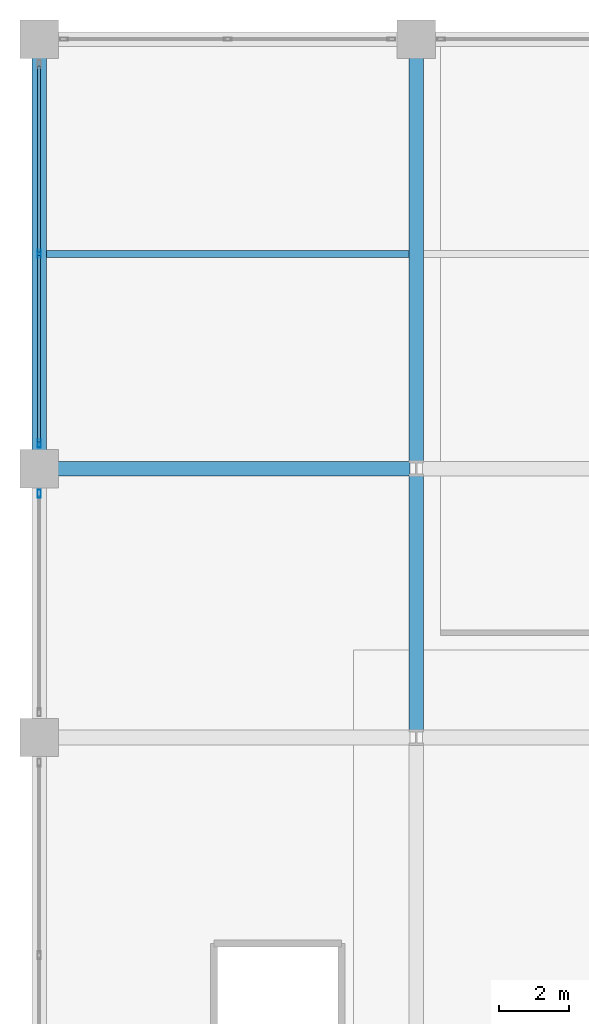
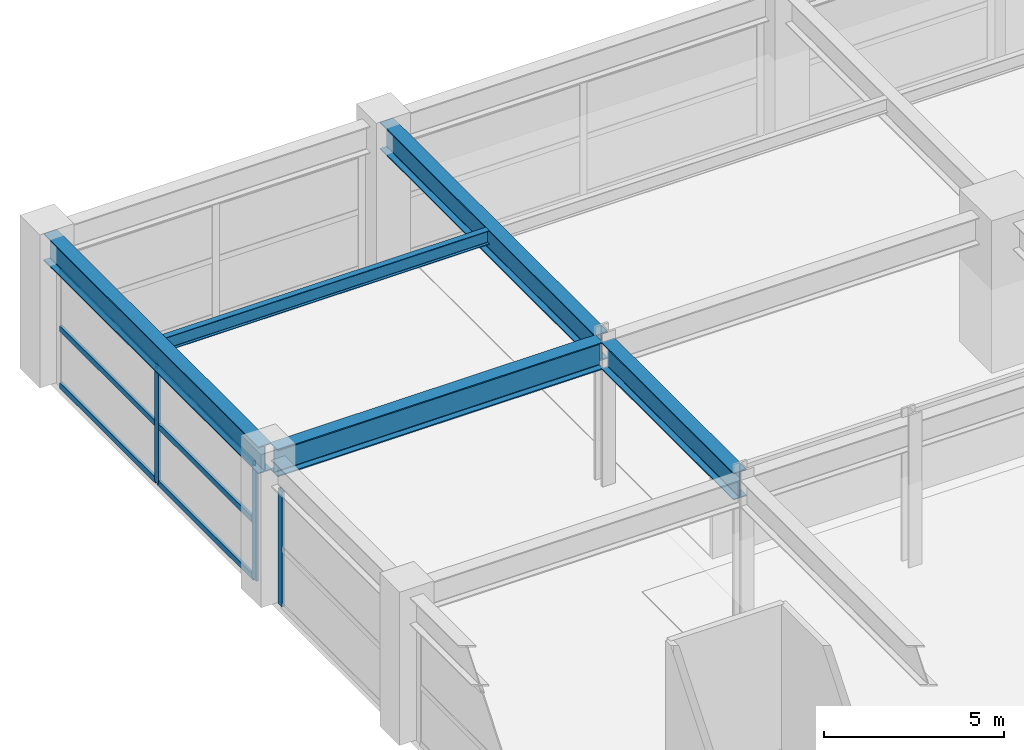
# One storey, part 11 of 35: 9 members, 5 beams, 2 elements without a shape of their own.
"""IFC4 building model written with IfcOpenShell, lengths in metres."""

from ifc_helpers import new_model, si_unit, direction, frame, origin, origin_2d, place, context, subcontext, project, spatial, hollow_rectangle, i_section, extrude, material, material_profile, profile_set, type_object, element, aggregate, save


model = new_model("IFC4")

# Units and contexts
model_context = context("Model", 3, precision=1e-05, world=origin(), true_north=direction((0.0, 1.0)))
body_context = subcontext(model_context, "Body", "Model", "MODEL_VIEW")
ifc_project = project(units=[si_unit("LENGTHUNIT", "METRE"), si_unit("AREAUNIT", "SQUARE_METRE"), si_unit("VOLUMEUNIT", "CUBIC_METRE"), si_unit("PLANEANGLEUNIT", "RADIAN"), si_unit("MASSUNIT", "GRAM", prefix="KILO")], contexts=[model_context])

# Site, building, storey
site_placement = place(None, origin())
site = spatial("IfcSite", under=ifc_project, at=site_placement, CompositionType="ELEMENT")
building_placement = place(site_placement, origin())
building = spatial("IfcBuilding", under=site, at=building_placement, Name="Kovane Verandah Tower", CompositionType="ELEMENT")
storey_placement = place(building_placement, frame((0.0, 0.0, 16.39990234375)))
storey = spatial("IfcBuildingStorey", under=building, at=storey_placement, Name="L03", CompositionType="ELEMENT", Elevation=16.39990234375)

# Beams
ifc_material_1 = material(Name="Steel S460", Category="steel")
ifc_material_profile_1 = material_profile(ifc_material_1, i_section(OverallWidth=0.42041015625, OverallDepth=0.9208984375, WebThickness=0.021484375, FlangeThickness=0.03662109375, FilletRadius=0.024169921875, at=origin_2d()), Name="UB914x419x388")
ifc_profile_set_1 = profile_set([ifc_material_profile_1], Name="Steel S460")
beam_type_1 = type_object("IfcBeamType", Name="BM-UB914x388", PredefinedType="BEAM", material=ifc_profile_set_1)
beam_1_placement = place(storey_placement, frame((-1.820068359375, 44.199951171875, 4.439697265625), z_axis=(1.0, 0.0, 0.0), x_axis=(0.0, 1.0, 0.0)))
element("IfcBeam", 1, at=beam_1_placement, inside=storey, type_object=beam_type_1, Name="L03 Podium Garden Transfer Girder X13", PredefinedType="BEAM", context=body_context, shape_type="SweptSolid", body=[
    extrude(i_section(OverallWidth=0.42041015625, OverallDepth=0.9208984375, WebThickness=0.021484375, FlangeThickness=0.03662109375, FilletRadius=0.024169921875, at=origin_2d()), origin(), (0.0, 0.0, 1.0), 10.440185546875),
])
beam_2_placement = place(storey_placement, frame((-2.0, 44.3798828125, 4.439697265625), z_axis=(0.0, 1.0, 0.0), x_axis=(-1.0, 0.0, 0.0)))
element("IfcBeam", 2, at=beam_2_placement, inside=storey, type_object=beam_type_1, Name="L03 Podium Garden Transfer Girder Y27", PredefinedType="BEAM", context=body_context, shape_type="SweptSolid", body=[
    extrude(i_section(OverallWidth=0.42041015625, OverallDepth=0.9208984375, WebThickness=0.021484375, FlangeThickness=0.03662109375, FilletRadius=0.024169921875, at=origin_2d()), origin(), (0.0, 0.0, 1.0), 11.940185546875),
])
beam_3_placement = place(storey_placement, frame((8.800048828125, 36.679931640625, 4.439697265625), z_axis=(0.0, 1.0, 0.0), x_axis=(-1.0, 0.0, 0.0)))
element("IfcBeam", 3, at=beam_3_placement, inside=storey, type_object=beam_type_1, Name="L03 Podium Garden Transfer Girder Y30", PredefinedType="BEAM", context=body_context, shape_type="SweptSolid", body=[
    extrude(i_section(OverallWidth=0.42041015625, OverallDepth=0.9208984375, WebThickness=0.021484375, FlangeThickness=0.03662109375, FilletRadius=0.024169921875, at=origin_2d()), origin(), (0.0, 0.0, 1.0), 7.340087890625),
])
beam_4_placement = place(storey_placement, frame((8.800048828125, 44.3798828125, 4.439697265625), z_axis=(0.0, 1.0, 0.0), x_axis=(-1.0, 0.0, 0.0)))
element("IfcBeam", 4, at=beam_4_placement, inside=storey, type_object=beam_type_1, Name="L03 Podium Garden Transfer Girder Y31", PredefinedType="BEAM", context=body_context, shape_type="SweptSolid", body=[
    extrude(i_section(OverallWidth=0.42041015625, OverallDepth=0.9208984375, WebThickness=0.021484375, FlangeThickness=0.03662109375, FilletRadius=0.024169921875, at=origin_2d()), origin(), (0.0, 0.0, 1.0), 11.940185546875),
])

# Curtain wall, member
ifc_material_2 = material(Name="Champagne Anodised Aluminium Frame with Low-E Clear Laminated Glass", Category="aluminium")
curtain_wall_type = type_object("IfcCurtainWallType", Name="CW-SYS-01-POD", PredefinedType="NOTDEFINED", material=ifc_material_2)
curtain_wall_1_placement = place(storey_placement, origin())
curtain_wall_1 = element("IfcCurtainWall", 5, at=curtain_wall_1_placement, inside=storey, type_object=curtain_wall_type, Name="L03 West Podium Curtain Wall Bay 4", PredefinedType="NOTDEFINED")
ifc_material_3 = material(Name="Champagne Anodised Aluminium 6063-T6", Category="aluminium")
ifc_material_profile_2 = material_profile(ifc_material_3, hollow_rectangle(XDim=0.0849609375, YDim=0.22998046875, WallThickness=0.00390625, at=origin_2d()), Name="AL85x230x4")
ifc_profile_set_2 = profile_set([ifc_material_profile_2], Name="Champagne Anodised Aluminium 6063-T6")
member_type_1 = type_object("IfcMemberType", Name="CW-MUL-85x230", PredefinedType="MULLION", material=ifc_profile_set_2)
member_1_placement = place(storey_placement, frame((-2.0, 43.47998046875, 0.02001953125), z_axis=(0.0, 0.0, 1.0), x_axis=(-1.0, 0.0, 0.0)))
member_1 = element("IfcMember", 6, at=member_1_placement, type_object=member_type_1, Name="L03 West Podium Curtain Wall Bay 4 Mullion 1", PredefinedType="MULLION", context=body_context, shape_type="SweptSolid", body=[
    extrude(hollow_rectangle(XDim=0.0849609375, YDim=0.22998046875, WallThickness=0.00390625, at=origin_2d()), origin(), (0.0, 0.0, 1.0), 3.919189453125),
])
aggregate(curtain_wall_1, [member_1])

# Curtain wall, members
curtain_wall_2_placement = place(storey_placement, origin())
curtain_wall_2 = element("IfcCurtainWall", 7, at=curtain_wall_2_placement, inside=storey, type_object=curtain_wall_type, Name="L03 West Podium Curtain Wall Bay 5", PredefinedType="NOTDEFINED")
member_2_placement = place(storey_placement, frame((-2.0, 50.35009765625, 0.02001953125), z_axis=(0.0, 0.0, 1.0), x_axis=(-1.0, 0.0, 0.0)))
member_2 = element("IfcMember", 8, at=member_2_placement, type_object=member_type_1, Name="L03 West Podium Curtain Wall Bay 5 Mullion 2", PredefinedType="MULLION", context=body_context, shape_type="SweptSolid", body=[
    extrude(hollow_rectangle(XDim=0.0849609375, YDim=0.22998046875, WallThickness=0.00390625, at=origin_2d()), origin(), (0.0, 0.0, 1.0), 3.919189453125),
])
member_3_placement = place(storey_placement, frame((-2.0, 44.919921875, 0.02001953125), z_axis=(0.0, 0.0, 1.0), x_axis=(-1.0, 0.0, 0.0)))
member_3 = element("IfcMember", 9, at=member_3_placement, type_object=member_type_1, Name="L03 West Podium Curtain Wall Bay 5 Mullion 3", PredefinedType="MULLION", context=body_context, shape_type="SweptSolid", body=[
    extrude(hollow_rectangle(XDim=0.0849609375, YDim=0.22998046875, WallThickness=0.00390625, at=origin_2d()), origin(), (0.0, 0.0, 1.0), 3.919189453125),
])
ifc_material_profile_3 = material_profile(ifc_material_3, hollow_rectangle(XDim=0.0849609375, YDim=0.18994140625, WallThickness=0.00390625, at=origin_2d()), Name="AL85x190x4")
ifc_profile_set_3 = profile_set([ifc_material_profile_3], Name="Champagne Anodised Aluminium 6063-T6")
member_type_2 = type_object("IfcMemberType", Name="CW-TRN-85x190", PredefinedType="USERDEFINED", material=ifc_profile_set_3)
member_4_placement = place(storey_placement, frame((-2.0, 55.72998046875, 0.050048828125), z_axis=(0.0, -1.0, 0.0), x_axis=(1.0, 0.0, 0.0)))
member_4 = element("IfcMember", 10, at=member_4_placement, type_object=member_type_2, Name="L03 West Podium Curtain Wall Bay 5 Transom TB Bay 1", ObjectType="TRANSOM", PredefinedType="USERDEFINED", context=body_context, shape_type="SweptSolid", body=[
    extrude(hollow_rectangle(XDim=0.0849609375, YDim=0.18994140625, WallThickness=0.00390625, at=origin_2d()), origin(), (0.0, 0.0, 1.0), 5.330078125),
])
member_5_placement = place(storey_placement, frame((-2.0, 55.72998046875, 1.9794921875), z_axis=(0.0, -1.0, 0.0), x_axis=(1.0, 0.0, 0.0)))
member_5 = element("IfcMember", 11, at=member_5_placement, type_object=member_type_2, Name="L03 West Podium Curtain Wall Bay 5 Transom TM Bay 1", ObjectType="TRANSOM", PredefinedType="USERDEFINED", context=body_context, shape_type="SweptSolid", body=[
    extrude(hollow_rectangle(XDim=0.0849609375, YDim=0.18994140625, WallThickness=0.00390625, at=origin_2d()), origin(), (0.0, 0.0, 1.0), 5.330078125),
])
member_6_placement = place(storey_placement, frame((-2.0, 55.72998046875, 3.9091796875), z_axis=(0.0, -1.0, 0.0), x_axis=(1.0, 0.0, 0.0)))
member_6 = element("IfcMember", 12, at=member_6_placement, type_object=member_type_2, Name="L03 West Podium Curtain Wall Bay 5 Transom TT Bay 1", ObjectType="TRANSOM", PredefinedType="USERDEFINED", context=body_context, shape_type="SweptSolid", body=[
    extrude(hollow_rectangle(XDim=0.0849609375, YDim=0.18994140625, WallThickness=0.00390625, at=origin_2d()), origin(), (0.0, 0.0, 1.0), 5.330078125),
])
member_7_placement = place(storey_placement, frame((-2.0, 50.300048828125, 0.050048828125), z_axis=(0.0, -1.0, 0.0), x_axis=(1.0, 0.0, 0.0)))
member_7 = element("IfcMember", 13, at=member_7_placement, type_object=member_type_2, Name="L03 West Podium Curtain Wall Bay 5 Transom TB Bay 2", ObjectType="TRANSOM", PredefinedType="USERDEFINED", context=body_context, shape_type="SweptSolid", body=[
    extrude(hollow_rectangle(XDim=0.0849609375, YDim=0.18994140625, WallThickness=0.00390625, at=origin_2d()), origin(), (0.0, 0.0, 1.0), 5.330078125),
])
member_8_placement = place(storey_placement, frame((-2.0, 50.300048828125, 1.9794921875), z_axis=(0.0, -1.0, 0.0), x_axis=(1.0, 0.0, 0.0)))
member_8 = element("IfcMember", 14, at=member_8_placement, type_object=member_type_2, Name="L03 West Podium Curtain Wall Bay 5 Transom TM Bay 2", ObjectType="TRANSOM", PredefinedType="USERDEFINED", context=body_context, shape_type="SweptSolid", body=[
    extrude(hollow_rectangle(XDim=0.0849609375, YDim=0.18994140625, WallThickness=0.00390625, at=origin_2d()), origin(), (0.0, 0.0, 1.0), 5.330078125),
])
member_9_placement = place(storey_placement, frame((-2.0, 50.300048828125, 3.9091796875), z_axis=(0.0, -1.0, 0.0), x_axis=(1.0, 0.0, 0.0)))
member_9 = element("IfcMember", 15, at=member_9_placement, type_object=member_type_2, Name="L03 West Podium Curtain Wall Bay 5 Transom TT Bay 2", ObjectType="TRANSOM", PredefinedType="USERDEFINED", context=body_context, shape_type="SweptSolid", body=[
    extrude(hollow_rectangle(XDim=0.0849609375, YDim=0.18994140625, WallThickness=0.00390625, at=origin_2d()), origin(), (0.0, 0.0, 1.0), 5.330078125),
])
aggregate(curtain_wall_2, [member_2, member_3, member_4, member_5, member_6, member_7, member_8, member_9])

# Beam
ifc_material_4 = material(Name="Steel S355", Category="steel")
ifc_material_profile_4 = material_profile(ifc_material_4, i_section(OverallWidth=0.19287109375, OverallDepth=0.46728515625, WebThickness=0.011474609375, FlangeThickness=0.01953125, FilletRadius=0.01025390625, at=origin_2d()), Name="UB457x191x98")
ifc_profile_set_4 = profile_set([ifc_material_profile_4], Name="Steel S355")
beam_type_2 = type_object("IfcBeamType", Name="JST-UB457x98", PredefinedType="JOIST", material=ifc_profile_set_4)
beam_5_placement = place(storey_placement, frame((-1.791748046875, 50.35009765625, 4.66650390625), z_axis=(1.0, 0.0, 0.0), x_axis=(0.0, 1.0, 0.0)))
element("IfcBeam", 16, at=beam_5_placement, inside=storey, type_object=beam_type_2, Name="L03 Podium Secondary Joist 01", PredefinedType="JOIST", context=body_context, shape_type="SweptSolid", body=[
    extrude(i_section(OverallWidth=0.19287109375, OverallDepth=0.46728515625, WebThickness=0.011474609375, FlangeThickness=0.01953125, FilletRadius=0.01025390625, at=origin_2d()), origin(), (0.0, 0.0, 1.0), 10.383544921875),
])

save(model, "model.ifc")
